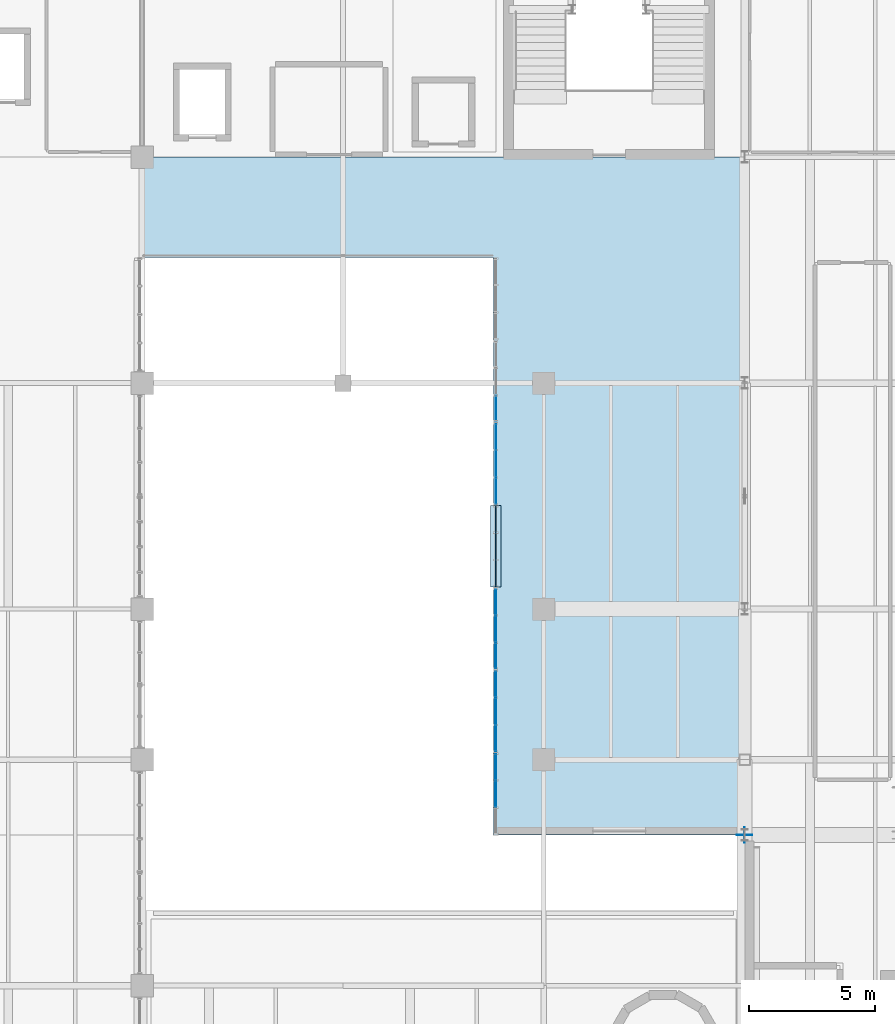
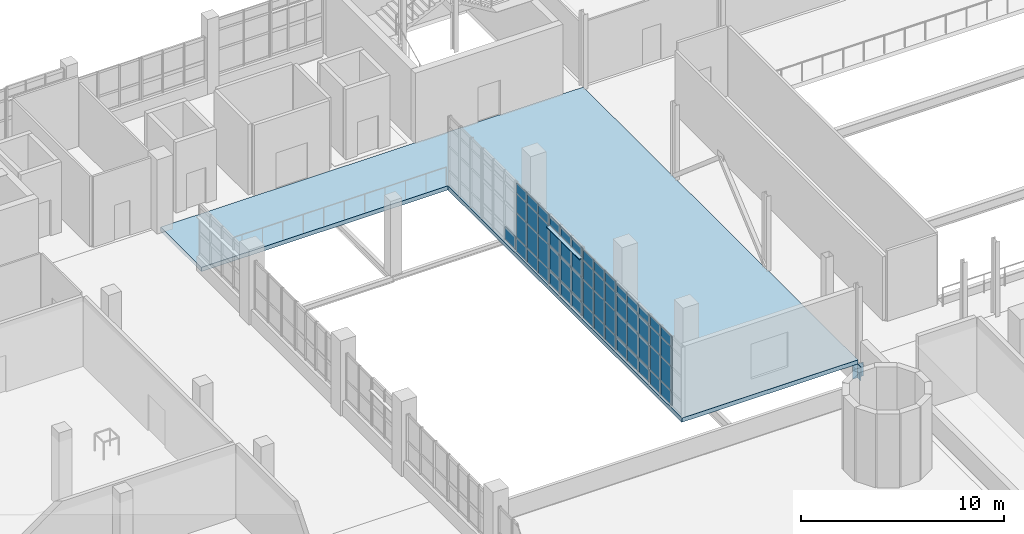
# One storey, part 54 of 85: 60 plates, 1 slab, 6 elements without a shape of their own.
"""IFC4 building model written with IfcOpenShell, lengths in metres."""

from ifc_helpers import new_model, si_unit, derived_unit, direction, frame, origin, origin_2d, place, context, subcontext, project, spatial, polyline, rectangle, outline, extrude, material, layer, layer_set, type_object, element, aggregate, save


model = new_model("IFC4")

# Units and contexts
model_context = context("Model", 3, precision=1e-05, world=origin(), true_north=direction((0.0, 1.0)))
body_context = subcontext(model_context, "Body", "Model", "MODEL_VIEW")
ifc_project = project(units=[si_unit("LENGTHUNIT", "METRE"), si_unit("AREAUNIT", "SQUARE_METRE"), si_unit("VOLUMEUNIT", "CUBIC_METRE"), si_unit("PLANEANGLEUNIT", "RADIAN"), si_unit("MASSUNIT", "GRAM", prefix="KILO"), derived_unit("THERMALTRANSMITTANCEUNIT", [(si_unit("POWERUNIT", "WATT"), 1), (si_unit("LENGTHUNIT", "METRE"), -2), (si_unit("THERMODYNAMICTEMPERATUREUNIT", "KELVIN"), -1)])], contexts=[model_context])

# Site, building, storey
site_placement = place(None, origin())
site = spatial("IfcSite", under=ifc_project, at=site_placement, CompositionType="ELEMENT")
building_placement = place(site_placement, origin())
building = spatial("IfcBuilding", under=site, at=building_placement, Name="Nallur Shell Playhouse", CompositionType="ELEMENT")
storey_placement = place(building_placement, frame((0.0, 0.0, 19.800048828125)))
storey = spatial("IfcBuildingStorey", under=building, at=storey_placement, Name="L05", CompositionType="ELEMENT", Elevation=19.800048828125)

# Plates
ifc_material_1 = material(Name="Steel E350", Category="steel")
ifc_layer_1 = layer(ifc_material_1, 0.02001953125)
ifc_layer_set_1 = layer_set([ifc_layer_1], Name="Steel E350")
plate_type_1 = type_object("IfcPlateType", Name="PT-ENDCAP-20", PredefinedType="SHEET", material=ifc_layer_set_1)
plate_1_placement = place(storey_placement, frame((63.989990234375, 47.0, -1.06005859375), z_axis=(0.0, 0.0, 1.0), x_axis=(1.0, 0.0, 0.0)))
element("IfcPlate", 1, at=plate_1_placement, inside=storey, type_object=plate_type_1, Name="Hollow end cap EC-GB-L05-NA", PredefinedType="SHEET", context=body_context, shape_type="SweptSolid", body=[
    extrude(rectangle(XDim=0.02001953125, YDim=0.6201171875, at=origin_2d()), origin(), (0.0, 0.0, 1.0), 0.820068359375),
])
plate_2_placement = place(storey_placement, frame((64.0, 47.010009765625, -1.06005859375), z_axis=(0.0, 0.0, 1.0), x_axis=(1.0, 0.0, 0.0)))
element("IfcPlate", 2, at=plate_2_placement, inside=storey, type_object=plate_type_1, Name="Hollow end cap EC-GB-L05-WB", PredefinedType="SHEET", context=body_context, shape_type="SweptSolid", body=[
    extrude(rectangle(XDim=0.6201171875, YDim=0.02001953125, at=origin_2d()), origin(), (0.0, 0.0, 1.0), 0.820068359375),
])

# Curtain wall, plates
ifc_material_2 = material(Name="Anodised Aluminium Double-Glazed Facade System", Category="aluminium")
ifc_layer_2 = layer(ifc_material_2, 0.172119140625)
ifc_layer_set_2 = layer_set([ifc_layer_2], Name="Anodised Aluminium Double-Glazed Facade System")
curtain_wall_type_1 = type_object("IfcCurtainWallType", Name="CW-UNIT-09", PredefinedType="NOTDEFINED", material=ifc_layer_set_2)
curtain_wall_1_placement = place(storey_placement, origin())
curtain_wall_1 = element("IfcCurtainWall", 3, at=curtain_wall_1_placement, inside=storey, type_object=curtain_wall_type_1, Name="Unitised curtain wall CW-169 (L05)", PredefinedType="NOTDEFINED")
ifc_material_3 = material(Name="Solar-Control Low-E Laminated Insulating Glass", Category="glass")
ifc_layer_3 = layer(ifc_material_3, 0.02587890625)
ifc_layer_set_3 = layer_set([ifc_layer_3], Name="Solar-Control Low-E Laminated Insulating Glass")
plate_type_2 = type_object("IfcPlateType", Name="PT-GLZ-01", PredefinedType="CURTAIN_PANEL", material=ifc_layer_set_3)
plate_3_placement = place(storey_placement, frame((54.090087890625, 60.710205078125, 0.05712890625), z_axis=(0.0, 0.0, 1.0), x_axis=(0.0, 1.0, 0.0)))
plate_3 = element("IfcPlate", 4, at=plate_3_placement, type_object=plate_type_2, Name="CW-09 panel 1.1", PredefinedType="CURTAIN_PANEL", context=body_context, shape_type="SweptSolid", body=[
    extrude(rectangle(XDim=1.010498046875, YDim=0.02587890625, at=origin_2d()), origin(), (0.0, 0.0, 1.0), 0.818603515625),
])
plate_4_placement = place(storey_placement, frame((54.090087890625, 60.710205078125, 0.924560546875), z_axis=(0.0, 0.0, 1.0), x_axis=(0.0, 1.0, 0.0)))
plate_4 = element("IfcPlate", 5, at=plate_4_placement, type_object=plate_type_2, Name="CW-09 panel 1.2", PredefinedType="CURTAIN_PANEL", context=body_context, shape_type="SweptSolid", body=[
    extrude(rectangle(XDim=1.010498046875, YDim=0.02587890625, at=origin_2d()), origin(), (0.0, 0.0, 1.0), 1.419921875),
])
plate_5_placement = place(storey_placement, frame((54.090087890625, 60.710205078125, 2.3935546875), z_axis=(0.0, 0.0, 1.0), x_axis=(0.0, 1.0, 0.0)))
plate_5 = element("IfcPlate", 6, at=plate_5_placement, type_object=plate_type_2, Name="CW-09 panel 1.3", PredefinedType="CURTAIN_PANEL", context=body_context, shape_type="SweptSolid", body=[
    extrude(rectangle(XDim=1.010498046875, YDim=0.02587890625, at=origin_2d()), origin(), (0.0, 0.0, 1.0), 1.132080078125),
])
plate_6_placement = place(storey_placement, frame((54.090087890625, 60.710205078125, 3.57470703125), z_axis=(0.0, 0.0, 1.0), x_axis=(0.0, 1.0, 0.0)))
plate_6 = element("IfcPlate", 7, at=plate_6_placement, type_object=plate_type_2, Name="CW-09 panel 1.4", PredefinedType="CURTAIN_PANEL", context=body_context, shape_type="SweptSolid", body=[
    extrude(rectangle(XDim=1.010498046875, YDim=0.02587890625, at=origin_2d()), origin(), (0.0, 0.0, 1.0), 0.598388671875),
])
plate_7_placement = place(storey_placement, frame((54.090087890625, 61.78564453125, 0.05712890625), z_axis=(0.0, 0.0, 1.0), x_axis=(0.0, 1.0, 0.0)))
plate_7 = element("IfcPlate", 8, at=plate_7_placement, type_object=plate_type_2, Name="CW-09 panel 2.1", PredefinedType="CURTAIN_PANEL", context=body_context, shape_type="SweptSolid", body=[
    extrude(rectangle(XDim=1.04296875, YDim=0.02587890625, at=origin_2d()), origin(), (0.0, 0.0, 1.0), 0.818603515625),
])
plate_8_placement = place(storey_placement, frame((54.090087890625, 61.78564453125, 0.924560546875), z_axis=(0.0, 0.0, 1.0), x_axis=(0.0, 1.0, 0.0)))
plate_8 = element("IfcPlate", 9, at=plate_8_placement, type_object=plate_type_2, Name="CW-09 panel 2.2", PredefinedType="CURTAIN_PANEL", context=body_context, shape_type="SweptSolid", body=[
    extrude(rectangle(XDim=1.04296875, YDim=0.02587890625, at=origin_2d()), origin(), (0.0, 0.0, 1.0), 1.419921875),
])
plate_9_placement = place(storey_placement, frame((54.090087890625, 61.78564453125, 2.3935546875), z_axis=(0.0, 0.0, 1.0), x_axis=(0.0, 1.0, 0.0)))
plate_9 = element("IfcPlate", 10, at=plate_9_placement, type_object=plate_type_2, Name="CW-09 panel 2.3", PredefinedType="CURTAIN_PANEL", context=body_context, shape_type="SweptSolid", body=[
    extrude(rectangle(XDim=1.04296875, YDim=0.02587890625, at=origin_2d()), origin(), (0.0, 0.0, 1.0), 1.132080078125),
])
plate_10_placement = place(storey_placement, frame((54.090087890625, 61.78564453125, 3.57470703125), z_axis=(0.0, 0.0, 1.0), x_axis=(0.0, 1.0, 0.0)))
plate_10 = element("IfcPlate", 11, at=plate_10_placement, type_object=plate_type_2, Name="CW-09 panel 2.4", PredefinedType="CURTAIN_PANEL", context=body_context, shape_type="SweptSolid", body=[
    extrude(rectangle(XDim=1.04296875, YDim=0.02587890625, at=origin_2d()), origin(), (0.0, 0.0, 1.0), 0.598388671875),
])
plate_11_placement = place(storey_placement, frame((54.090087890625, 62.861328125, 0.05712890625), z_axis=(0.0, 0.0, 1.0), x_axis=(0.0, 1.0, 0.0)))
plate_11 = element("IfcPlate", 12, at=plate_11_placement, type_object=plate_type_2, Name="CW-09 panel 3.1", PredefinedType="CURTAIN_PANEL", context=body_context, shape_type="SweptSolid", body=[
    extrude(rectangle(XDim=1.010498046875, YDim=0.02587890625, at=origin_2d()), origin(), (0.0, 0.0, 1.0), 0.818603515625),
])
plate_12_placement = place(storey_placement, frame((54.090087890625, 62.861328125, 0.924560546875), z_axis=(0.0, 0.0, 1.0), x_axis=(0.0, 1.0, 0.0)))
plate_12 = element("IfcPlate", 13, at=plate_12_placement, type_object=plate_type_2, Name="CW-09 panel 3.2", PredefinedType="CURTAIN_PANEL", context=body_context, shape_type="SweptSolid", body=[
    extrude(rectangle(XDim=1.010498046875, YDim=0.02587890625, at=origin_2d()), origin(), (0.0, 0.0, 1.0), 1.419921875),
])
plate_13_placement = place(storey_placement, frame((54.090087890625, 62.861328125, 2.3935546875), z_axis=(0.0, 0.0, 1.0), x_axis=(0.0, 1.0, 0.0)))
plate_13 = element("IfcPlate", 14, at=plate_13_placement, type_object=plate_type_2, Name="CW-09 panel 3.3", PredefinedType="CURTAIN_PANEL", context=body_context, shape_type="SweptSolid", body=[
    extrude(rectangle(XDim=1.010498046875, YDim=0.02587890625, at=origin_2d()), origin(), (0.0, 0.0, 1.0), 1.132080078125),
])
plate_14_placement = place(storey_placement, frame((54.090087890625, 62.861328125, 3.57470703125), z_axis=(0.0, 0.0, 1.0), x_axis=(0.0, 1.0, 0.0)))
plate_14 = element("IfcPlate", 15, at=plate_14_placement, type_object=plate_type_2, Name="CW-09 panel 3.4", PredefinedType="CURTAIN_PANEL", context=body_context, shape_type="SweptSolid", body=[
    extrude(rectangle(XDim=1.010498046875, YDim=0.02587890625, at=origin_2d()), origin(), (0.0, 0.0, 1.0), 0.598388671875),
])
aggregate(curtain_wall_1, [plate_3, plate_4, plate_5, plate_6, plate_7, plate_8, plate_9, plate_10, plate_11, plate_12, plate_13, plate_14])

# Curtain wall, plate
ifc_layer_4 = layer(ifc_material_2, 0.176025390625)
ifc_layer_set_4 = layer_set([ifc_layer_4], Name="Anodised Aluminium Double-Glazed Facade System")
curtain_wall_type_2 = type_object("IfcCurtainWallType", Name="CW-UNIT-10", PredefinedType="NOTDEFINED", material=ifc_layer_set_4)
curtain_wall_2_placement = place(storey_placement, origin())
curtain_wall_2 = element("IfcCurtainWall", 16, at=curtain_wall_2_placement, inside=storey, type_object=curtain_wall_type_2, Name="Unitised curtain wall CW-170 (L05)", PredefinedType="NOTDEFINED")
ifc_layer_5 = layer(ifc_material_3, 0.028076171875)
ifc_layer_set_5 = layer_set([ifc_layer_5], Name="Solar-Control Low-E Laminated Insulating Glass")
plate_type_3 = type_object("IfcPlateType", Name="PT-GLZ-02", PredefinedType="CURTAIN_PANEL", material=ifc_layer_set_5)
plate_15_placement = place(storey_placement, frame((54.090087890625, 63.99951171875, 0.091796875), z_axis=(0.0, 0.0, 1.0), x_axis=(0.0, 1.0, 0.0)))
plate_15 = element("IfcPlate", 17, at=plate_15_placement, type_object=plate_type_3, Name="CW-10 panel 1.1", PredefinedType="CURTAIN_PANEL", context=body_context, shape_type="SweptSolid", body=[
    extrude(rectangle(XDim=0.98779296875, YDim=0.028076171875, at=origin_2d()), origin(), (0.0, 0.0, 1.0), 0.76611328125),
])
aggregate(curtain_wall_2, [plate_15])

# Curtain wall, plates
ifc_layer_6 = layer(ifc_material_2, 0.179931640625)
ifc_layer_set_6 = layer_set([ifc_layer_6], Name="Anodised Aluminium Double-Glazed Facade System")
curtain_wall_type_3 = type_object("IfcCurtainWallType", Name="CW-UNIT-05", PredefinedType="NOTDEFINED", material=ifc_layer_set_6)
curtain_wall_3_placement = place(storey_placement, origin())
curtain_wall_3 = element("IfcCurtainWall", 18, at=curtain_wall_3_placement, inside=storey, type_object=curtain_wall_type_3, Name="Unitised curtain wall CW-165 (L05)", PredefinedType="NOTDEFINED")
ifc_layer_7 = layer(ifc_material_3, 0.033935546875)
ifc_layer_set_7 = layer_set([ifc_layer_7], Name="Solar-Control Low-E Laminated Insulating Glass")
plate_type_4 = type_object("IfcPlateType", Name="PT-GLZ-05", PredefinedType="CURTAIN_PANEL", material=ifc_layer_set_7)
plate_16_placement = place(storey_placement, frame((54.090087890625, 48.640380859375, 0.05712890625), z_axis=(0.0, 0.0, 1.0), x_axis=(0.0, 1.0, 0.0)))
plate_16 = element("IfcPlate", 19, at=plate_16_placement, type_object=plate_type_4, Name="CW-05 panel 2.1", PredefinedType="CURTAIN_PANEL", context=body_context, shape_type="SweptSolid", body=[
    extrude(rectangle(XDim=1.03466796875, YDim=0.033935546875, at=origin_2d()), origin(), (0.0, 0.0, 1.0), 0.818603515625),
])
plate_17_placement = place(storey_placement, frame((54.090087890625, 48.640380859375, 0.924560546875), z_axis=(0.0, 0.0, 1.0), x_axis=(0.0, 1.0, 0.0)))
plate_17 = element("IfcPlate", 20, at=plate_17_placement, type_object=plate_type_4, Name="CW-05 panel 2.2", PredefinedType="CURTAIN_PANEL", context=body_context, shape_type="SweptSolid", body=[
    extrude(rectangle(XDim=1.03466796875, YDim=0.033935546875, at=origin_2d()), origin(), (0.0, 0.0, 1.0), 1.419921875),
])
plate_18_placement = place(storey_placement, frame((54.090087890625, 48.640380859375, 2.3935546875), z_axis=(0.0, 0.0, 1.0), x_axis=(0.0, 1.0, 0.0)))
plate_18 = element("IfcPlate", 21, at=plate_18_placement, type_object=plate_type_4, Name="CW-05 panel 2.3", PredefinedType="CURTAIN_PANEL", context=body_context, shape_type="SweptSolid", body=[
    extrude(rectangle(XDim=1.03466796875, YDim=0.033935546875, at=origin_2d()), origin(), (0.0, 0.0, 1.0), 1.132080078125),
])
plate_19_placement = place(storey_placement, frame((54.090087890625, 48.640380859375, 3.57470703125), z_axis=(0.0, 0.0, 1.0), x_axis=(0.0, 1.0, 0.0)))
plate_19 = element("IfcPlate", 22, at=plate_19_placement, type_object=plate_type_4, Name="CW-05 panel 2.4", PredefinedType="CURTAIN_PANEL", context=body_context, shape_type="SweptSolid", body=[
    extrude(rectangle(XDim=1.03466796875, YDim=0.033935546875, at=origin_2d()), origin(), (0.0, 0.0, 1.0), 0.598388671875),
])
plate_20_placement = place(storey_placement, frame((54.090087890625, 49.715087890625, 0.05712890625), z_axis=(0.0, 0.0, 1.0), x_axis=(0.0, 1.0, 0.0)))
plate_20 = element("IfcPlate", 23, at=plate_20_placement, type_object=plate_type_4, Name="CW-05 panel 3.1", PredefinedType="CURTAIN_PANEL", context=body_context, shape_type="SweptSolid", body=[
    extrude(rectangle(XDim=0.9970703125, YDim=0.033935546875, at=origin_2d()), origin(), (0.0, 0.0, 1.0), 0.818603515625),
])
plate_21_placement = place(storey_placement, frame((54.090087890625, 49.715087890625, 0.924560546875), z_axis=(0.0, 0.0, 1.0), x_axis=(0.0, 1.0, 0.0)))
plate_21 = element("IfcPlate", 24, at=plate_21_placement, type_object=plate_type_4, Name="CW-05 panel 3.2", PredefinedType="CURTAIN_PANEL", context=body_context, shape_type="SweptSolid", body=[
    extrude(rectangle(XDim=0.9970703125, YDim=0.033935546875, at=origin_2d()), origin(), (0.0, 0.0, 1.0), 1.419921875),
])
plate_22_placement = place(storey_placement, frame((54.090087890625, 49.715087890625, 2.3935546875), z_axis=(0.0, 0.0, 1.0), x_axis=(0.0, 1.0, 0.0)))
plate_22 = element("IfcPlate", 25, at=plate_22_placement, type_object=plate_type_4, Name="CW-05 panel 3.3", PredefinedType="CURTAIN_PANEL", context=body_context, shape_type="SweptSolid", body=[
    extrude(rectangle(XDim=0.9970703125, YDim=0.033935546875, at=origin_2d()), origin(), (0.0, 0.0, 1.0), 1.132080078125),
])
plate_23_placement = place(storey_placement, frame((54.090087890625, 49.715087890625, 3.57470703125), z_axis=(0.0, 0.0, 1.0), x_axis=(0.0, 1.0, 0.0)))
plate_23 = element("IfcPlate", 26, at=plate_23_placement, type_object=plate_type_4, Name="CW-05 panel 3.4", PredefinedType="CURTAIN_PANEL", context=body_context, shape_type="SweptSolid", body=[
    extrude(rectangle(XDim=0.9970703125, YDim=0.033935546875, at=origin_2d()), origin(), (0.0, 0.0, 1.0), 0.598388671875),
])
aggregate(curtain_wall_3, [plate_16, plate_17, plate_18, plate_19, plate_20, plate_21, plate_22, plate_23])

ifc_layer_8 = layer(ifc_material_2, 0.159912109375)
ifc_layer_set_8 = layer_set([ifc_layer_8], Name="Anodised Aluminium Double-Glazed Facade System")
curtain_wall_type_4 = type_object("IfcCurtainWallType", Name="CW-UNIT-06", PredefinedType="NOTDEFINED", material=ifc_layer_set_8)
curtain_wall_4_placement = place(storey_placement, origin())
curtain_wall_4 = element("IfcCurtainWall", 27, at=curtain_wall_4_placement, inside=storey, type_object=curtain_wall_type_4, Name="Unitised curtain wall CW-166 (L05)", PredefinedType="NOTDEFINED")
ifc_layer_9 = layer(ifc_material_3, 0.035888671875)
ifc_layer_set_9 = layer_set([ifc_layer_9], Name="Solar-Control Low-E Laminated Insulating Glass")
plate_type_5 = type_object("IfcPlateType", Name="PT-GLZ-06", PredefinedType="CURTAIN_PANEL", material=ifc_layer_set_9)
plate_24_placement = place(storey_placement, frame((54.090087890625, 50.852783203125, 0.091796875), z_axis=(0.0, 0.0, 1.0), x_axis=(0.0, 1.0, 0.0)))
plate_24 = element("IfcPlate", 28, at=plate_24_placement, type_object=plate_type_5, Name="CW-06 panel 1.1", PredefinedType="CURTAIN_PANEL", context=body_context, shape_type="SweptSolid", body=[
    extrude(rectangle(XDim=1.010498046875, YDim=0.035888671875, at=origin_2d()), origin(), (0.0, 0.0, 1.0), 0.76611328125),
])
plate_25_placement = place(storey_placement, frame((54.090087890625, 50.852783203125, 0.94189453125), z_axis=(0.0, 0.0, 1.0), x_axis=(0.0, 1.0, 0.0)))
plate_25 = element("IfcPlate", 29, at=plate_25_placement, type_object=plate_type_5, Name="CW-06 panel 1.2", PredefinedType="CURTAIN_PANEL", context=body_context, shape_type="SweptSolid", body=[
    extrude(rectangle(XDim=1.010498046875, YDim=0.035888671875, at=origin_2d()), origin(), (0.0, 0.0, 1.0), 1.3740234375),
])
plate_26_placement = place(storey_placement, frame((54.090087890625, 50.852783203125, 2.39990234375), z_axis=(0.0, 0.0, 1.0), x_axis=(0.0, 1.0, 0.0)))
plate_26 = element("IfcPlate", 30, at=plate_26_placement, type_object=plate_type_5, Name="CW-06 panel 1.3", PredefinedType="CURTAIN_PANEL", context=body_context, shape_type="SweptSolid", body=[
    extrude(rectangle(XDim=1.010498046875, YDim=0.035888671875, at=origin_2d()), origin(), (0.0, 0.0, 1.0), 1.087890625),
])
plate_27_placement = place(storey_placement, frame((54.090087890625, 50.852783203125, 3.572021484375), z_axis=(0.0, 0.0, 1.0), x_axis=(0.0, 1.0, 0.0)))
plate_27 = element("IfcPlate", 31, at=plate_27_placement, type_object=plate_type_5, Name="CW-06 panel 1.4", PredefinedType="CURTAIN_PANEL", context=body_context, shape_type="SweptSolid", body=[
    extrude(rectangle(XDim=1.010498046875, YDim=0.035888671875, at=origin_2d()), origin(), (0.0, 0.0, 1.0), 0.5458984375),
])
plate_28_placement = place(storey_placement, frame((54.090087890625, 51.928466796875, 0.091796875), z_axis=(0.0, 0.0, 1.0), x_axis=(0.0, 1.0, 0.0)))
plate_28 = element("IfcPlate", 32, at=plate_28_placement, type_object=plate_type_5, Name="CW-06 panel 2.1", PredefinedType="CURTAIN_PANEL", context=body_context, shape_type="SweptSolid", body=[
    extrude(rectangle(XDim=1.04296875, YDim=0.035888671875, at=origin_2d()), origin(), (0.0, 0.0, 1.0), 0.76611328125),
])
plate_29_placement = place(storey_placement, frame((54.090087890625, 51.928466796875, 0.94189453125), z_axis=(0.0, 0.0, 1.0), x_axis=(0.0, 1.0, 0.0)))
plate_29 = element("IfcPlate", 33, at=plate_29_placement, type_object=plate_type_5, Name="CW-06 panel 2.2", PredefinedType="CURTAIN_PANEL", context=body_context, shape_type="SweptSolid", body=[
    extrude(rectangle(XDim=1.04296875, YDim=0.035888671875, at=origin_2d()), origin(), (0.0, 0.0, 1.0), 1.3740234375),
])
plate_30_placement = place(storey_placement, frame((54.090087890625, 51.928466796875, 2.39990234375), z_axis=(0.0, 0.0, 1.0), x_axis=(0.0, 1.0, 0.0)))
plate_30 = element("IfcPlate", 34, at=plate_30_placement, type_object=plate_type_5, Name="CW-06 panel 2.3", PredefinedType="CURTAIN_PANEL", context=body_context, shape_type="SweptSolid", body=[
    extrude(rectangle(XDim=1.04296875, YDim=0.035888671875, at=origin_2d()), origin(), (0.0, 0.0, 1.0), 1.087890625),
])
plate_31_placement = place(storey_placement, frame((54.090087890625, 51.928466796875, 3.572021484375), z_axis=(0.0, 0.0, 1.0), x_axis=(0.0, 1.0, 0.0)))
plate_31 = element("IfcPlate", 35, at=plate_31_placement, type_object=plate_type_5, Name="CW-06 panel 2.4", PredefinedType="CURTAIN_PANEL", context=body_context, shape_type="SweptSolid", body=[
    extrude(rectangle(XDim=1.04296875, YDim=0.035888671875, at=origin_2d()), origin(), (0.0, 0.0, 1.0), 0.5458984375),
])
plate_32_placement = place(storey_placement, frame((54.090087890625, 53.004150390625, 0.091796875), z_axis=(0.0, 0.0, 1.0), x_axis=(0.0, 1.0, 0.0)))
plate_32 = element("IfcPlate", 36, at=plate_32_placement, type_object=plate_type_5, Name="CW-06 panel 3.1", PredefinedType="CURTAIN_PANEL", context=body_context, shape_type="SweptSolid", body=[
    extrude(rectangle(XDim=1.010498046875, YDim=0.035888671875, at=origin_2d()), origin(), (0.0, 0.0, 1.0), 0.76611328125),
])
plate_33_placement = place(storey_placement, frame((54.090087890625, 53.004150390625, 0.94189453125), z_axis=(0.0, 0.0, 1.0), x_axis=(0.0, 1.0, 0.0)))
plate_33 = element("IfcPlate", 37, at=plate_33_placement, type_object=plate_type_5, Name="CW-06 panel 3.2", PredefinedType="CURTAIN_PANEL", context=body_context, shape_type="SweptSolid", body=[
    extrude(rectangle(XDim=1.010498046875, YDim=0.035888671875, at=origin_2d()), origin(), (0.0, 0.0, 1.0), 1.3740234375),
])
plate_34_placement = place(storey_placement, frame((54.090087890625, 53.004150390625, 2.39990234375), z_axis=(0.0, 0.0, 1.0), x_axis=(0.0, 1.0, 0.0)))
plate_34 = element("IfcPlate", 38, at=plate_34_placement, type_object=plate_type_5, Name="CW-06 panel 3.3", PredefinedType="CURTAIN_PANEL", context=body_context, shape_type="SweptSolid", body=[
    extrude(rectangle(XDim=1.010498046875, YDim=0.035888671875, at=origin_2d()), origin(), (0.0, 0.0, 1.0), 1.087890625),
])
plate_35_placement = place(storey_placement, frame((54.090087890625, 53.004150390625, 3.572021484375), z_axis=(0.0, 0.0, 1.0), x_axis=(0.0, 1.0, 0.0)))
plate_35 = element("IfcPlate", 39, at=plate_35_placement, type_object=plate_type_5, Name="CW-06 panel 3.4", PredefinedType="CURTAIN_PANEL", context=body_context, shape_type="SweptSolid", body=[
    extrude(rectangle(XDim=1.010498046875, YDim=0.035888671875, at=origin_2d()), origin(), (0.0, 0.0, 1.0), 0.5458984375),
])
aggregate(curtain_wall_4, [plate_24, plate_25, plate_26, plate_27, plate_28, plate_29, plate_30, plate_31, plate_32, plate_33, plate_34, plate_35])

ifc_layer_10 = layer(ifc_material_2, 0.1640625)
ifc_layer_set_10 = layer_set([ifc_layer_10], Name="Anodised Aluminium Double-Glazed Facade System")
curtain_wall_type_5 = type_object("IfcCurtainWallType", Name="CW-UNIT-07", PredefinedType="NOTDEFINED", material=ifc_layer_set_10)
curtain_wall_5_placement = place(storey_placement, origin())
curtain_wall_5 = element("IfcCurtainWall", 40, at=curtain_wall_5_placement, inside=storey, type_object=curtain_wall_type_5, Name="Unitised curtain wall CW-167 (L05)", PredefinedType="NOTDEFINED")
ifc_layer_11 = layer(ifc_material_3, 0.0380859375)
ifc_layer_set_11 = layer_set([ifc_layer_11], Name="Solar-Control Low-E Laminated Insulating Glass")
plate_type_6 = type_object("IfcPlateType", Name="PT-GLZ-07", PredefinedType="CURTAIN_PANEL", material=ifc_layer_set_11)
plate_36_placement = place(storey_placement, frame((54.090087890625, 54.142333984375, 0.05712890625), z_axis=(0.0, 0.0, 1.0), x_axis=(0.0, 1.0, 0.0)))
plate_36 = element("IfcPlate", 41, at=plate_36_placement, type_object=plate_type_6, Name="CW-07 panel 1.1", PredefinedType="CURTAIN_PANEL", context=body_context, shape_type="SweptSolid", body=[
    extrude(rectangle(XDim=0.98779296875, YDim=0.0380859375, at=origin_2d()), origin(), (0.0, 0.0, 1.0), 0.818603515625),
])
plate_37_placement = place(storey_placement, frame((54.090087890625, 54.142333984375, 0.924560546875), z_axis=(0.0, 0.0, 1.0), x_axis=(0.0, 1.0, 0.0)))
plate_37 = element("IfcPlate", 42, at=plate_37_placement, type_object=plate_type_6, Name="CW-07 panel 1.2", PredefinedType="CURTAIN_PANEL", context=body_context, shape_type="SweptSolid", body=[
    extrude(rectangle(XDim=0.98779296875, YDim=0.0380859375, at=origin_2d()), origin(), (0.0, 0.0, 1.0), 1.39697265625),
])
plate_38_placement = place(storey_placement, frame((54.090087890625, 54.142333984375, 2.37060546875), z_axis=(0.0, 0.0, 1.0), x_axis=(0.0, 1.0, 0.0)))
plate_38 = element("IfcPlate", 43, at=plate_38_placement, type_object=plate_type_6, Name="CW-07 panel 1.3", PredefinedType="CURTAIN_PANEL", context=body_context, shape_type="SweptSolid", body=[
    extrude(rectangle(XDim=0.98779296875, YDim=0.0380859375, at=origin_2d()), origin(), (0.0, 0.0, 1.0), 1.114990234375),
])
plate_39_placement = place(storey_placement, frame((54.090087890625, 54.142333984375, 3.53466796875), z_axis=(0.0, 0.0, 1.0), x_axis=(0.0, 1.0, 0.0)))
plate_39 = element("IfcPlate", 44, at=plate_39_placement, type_object=plate_type_6, Name="CW-07 panel 1.4", PredefinedType="CURTAIN_PANEL", context=body_context, shape_type="SweptSolid", body=[
    extrude(rectangle(XDim=0.98779296875, YDim=0.0380859375, at=origin_2d()), origin(), (0.0, 0.0, 1.0), 0.598388671875),
])
plate_40_placement = place(storey_placement, frame((54.090087890625, 55.21435546875, 0.05712890625), z_axis=(0.0, 0.0, 1.0), x_axis=(0.0, 1.0, 0.0)))
plate_40 = element("IfcPlate", 45, at=plate_40_placement, type_object=plate_type_6, Name="CW-07 panel 2.1", PredefinedType="CURTAIN_PANEL", context=body_context, shape_type="SweptSolid", body=[
    extrude(rectangle(XDim=1.02783203125, YDim=0.0380859375, at=origin_2d()), origin(), (0.0, 0.0, 1.0), 0.818603515625),
])
plate_41_placement = place(storey_placement, frame((54.090087890625, 55.21435546875, 0.924560546875), z_axis=(0.0, 0.0, 1.0), x_axis=(0.0, 1.0, 0.0)))
plate_41 = element("IfcPlate", 46, at=plate_41_placement, type_object=plate_type_6, Name="CW-07 panel 2.2", PredefinedType="CURTAIN_PANEL", context=body_context, shape_type="SweptSolid", body=[
    extrude(rectangle(XDim=1.02783203125, YDim=0.0380859375, at=origin_2d()), origin(), (0.0, 0.0, 1.0), 1.39697265625),
])
plate_42_placement = place(storey_placement, frame((54.090087890625, 55.21435546875, 2.37060546875), z_axis=(0.0, 0.0, 1.0), x_axis=(0.0, 1.0, 0.0)))
plate_42 = element("IfcPlate", 47, at=plate_42_placement, type_object=plate_type_6, Name="CW-07 panel 2.3", PredefinedType="CURTAIN_PANEL", context=body_context, shape_type="SweptSolid", body=[
    extrude(rectangle(XDim=1.02783203125, YDim=0.0380859375, at=origin_2d()), origin(), (0.0, 0.0, 1.0), 1.114990234375),
])
plate_43_placement = place(storey_placement, frame((54.090087890625, 55.21435546875, 3.53466796875), z_axis=(0.0, 0.0, 1.0), x_axis=(0.0, 1.0, 0.0)))
plate_43 = element("IfcPlate", 48, at=plate_43_placement, type_object=plate_type_6, Name="CW-07 panel 2.4", PredefinedType="CURTAIN_PANEL", context=body_context, shape_type="SweptSolid", body=[
    extrude(rectangle(XDim=1.02783203125, YDim=0.0380859375, at=origin_2d()), origin(), (0.0, 0.0, 1.0), 0.598388671875),
])
plate_44_placement = place(storey_placement, frame((54.090087890625, 56.2861328125, 0.05712890625), z_axis=(0.0, 0.0, 1.0), x_axis=(0.0, 1.0, 0.0)))
plate_44 = element("IfcPlate", 49, at=plate_44_placement, type_object=plate_type_6, Name="CW-07 panel 3.1", PredefinedType="CURTAIN_PANEL", context=body_context, shape_type="SweptSolid", body=[
    extrude(rectangle(XDim=0.98779296875, YDim=0.0380859375, at=origin_2d()), origin(), (0.0, 0.0, 1.0), 0.818603515625),
])
plate_45_placement = place(storey_placement, frame((54.090087890625, 56.2861328125, 0.924560546875), z_axis=(0.0, 0.0, 1.0), x_axis=(0.0, 1.0, 0.0)))
plate_45 = element("IfcPlate", 50, at=plate_45_placement, type_object=plate_type_6, Name="CW-07 panel 3.2", PredefinedType="CURTAIN_PANEL", context=body_context, shape_type="SweptSolid", body=[
    extrude(rectangle(XDim=0.98779296875, YDim=0.0380859375, at=origin_2d()), origin(), (0.0, 0.0, 1.0), 1.39697265625),
])
plate_46_placement = place(storey_placement, frame((54.090087890625, 56.2861328125, 2.37060546875), z_axis=(0.0, 0.0, 1.0), x_axis=(0.0, 1.0, 0.0)))
plate_46 = element("IfcPlate", 51, at=plate_46_placement, type_object=plate_type_6, Name="CW-07 panel 3.3", PredefinedType="CURTAIN_PANEL", context=body_context, shape_type="SweptSolid", body=[
    extrude(rectangle(XDim=0.98779296875, YDim=0.0380859375, at=origin_2d()), origin(), (0.0, 0.0, 1.0), 1.114990234375),
])
plate_47_placement = place(storey_placement, frame((54.090087890625, 56.2861328125, 3.53466796875), z_axis=(0.0, 0.0, 1.0), x_axis=(0.0, 1.0, 0.0)))
plate_47 = element("IfcPlate", 52, at=plate_47_placement, type_object=plate_type_6, Name="CW-07 panel 3.4", PredefinedType="CURTAIN_PANEL", context=body_context, shape_type="SweptSolid", body=[
    extrude(rectangle(XDim=0.98779296875, YDim=0.0380859375, at=origin_2d()), origin(), (0.0, 0.0, 1.0), 0.598388671875),
])
aggregate(curtain_wall_5, [plate_36, plate_37, plate_38, plate_39, plate_40, plate_41, plate_42, plate_43, plate_44, plate_45, plate_46, plate_47])

ifc_layer_12 = layer(ifc_material_2, 0.16796875)
ifc_layer_set_12 = layer_set([ifc_layer_12], Name="Anodised Aluminium Double-Glazed Facade System")
curtain_wall_type_6 = type_object("IfcCurtainWallType", Name="CW-UNIT-08", PredefinedType="NOTDEFINED", material=ifc_layer_set_12)
curtain_wall_6_placement = place(storey_placement, origin())
curtain_wall_6 = element("IfcCurtainWall", 53, at=curtain_wall_6_placement, inside=storey, type_object=curtain_wall_type_6, Name="Unitised curtain wall CW-168 (L05)", PredefinedType="NOTDEFINED")
ifc_layer_13 = layer(ifc_material_3, 0.0400390625)
ifc_layer_set_13 = layer_set([ifc_layer_13], Name="Solar-Control Low-E Laminated Insulating Glass")
plate_type_7 = type_object("IfcPlateType", Name="PT-GLZ-08", PredefinedType="CURTAIN_PANEL", material=ifc_layer_set_13)
plate_48_placement = place(storey_placement, frame((54.090087890625, 57.4267578125, 0.091796875), z_axis=(0.0, 0.0, 1.0), x_axis=(0.0, 1.0, 0.0)))
plate_48 = element("IfcPlate", 54, at=plate_48_placement, type_object=plate_type_7, Name="CW-08 panel 1.1", PredefinedType="CURTAIN_PANEL", context=body_context, shape_type="SweptSolid", body=[
    extrude(rectangle(XDim=0.995361328125, YDim=0.0400390625, at=origin_2d()), origin(), (0.0, 0.0, 1.0), 0.76611328125),
])
plate_49_placement = place(storey_placement, frame((54.090087890625, 57.4267578125, 0.94189453125), z_axis=(0.0, 0.0, 1.0), x_axis=(0.0, 1.0, 0.0)))
plate_49 = element("IfcPlate", 55, at=plate_49_placement, type_object=plate_type_7, Name="CW-08 panel 1.2", PredefinedType="CURTAIN_PANEL", context=body_context, shape_type="SweptSolid", body=[
    extrude(rectangle(XDim=0.995361328125, YDim=0.0400390625, at=origin_2d()), origin(), (0.0, 0.0, 1.0), 1.39599609375),
])
plate_50_placement = place(storey_placement, frame((54.090087890625, 57.4267578125, 2.421875), z_axis=(0.0, 0.0, 1.0), x_axis=(0.0, 1.0, 0.0)))
plate_50 = element("IfcPlate", 56, at=plate_50_placement, type_object=plate_type_7, Name="CW-08 panel 1.3", PredefinedType="CURTAIN_PANEL", context=body_context, shape_type="SweptSolid", body=[
    extrude(rectangle(XDim=0.995361328125, YDim=0.0400390625, at=origin_2d()), origin(), (0.0, 0.0, 1.0), 1.10595703125),
])
plate_51_placement = place(storey_placement, frame((54.090087890625, 57.4267578125, 3.612060546875), z_axis=(0.0, 0.0, 1.0), x_axis=(0.0, 1.0, 0.0)))
plate_51 = element("IfcPlate", 57, at=plate_51_placement, type_object=plate_type_7, Name="CW-08 panel 1.4", PredefinedType="CURTAIN_PANEL", context=body_context, shape_type="SweptSolid", body=[
    extrude(rectangle(XDim=0.995361328125, YDim=0.0400390625, at=origin_2d()), origin(), (0.0, 0.0, 1.0), 0.5458984375),
])
plate_52_placement = place(storey_placement, frame((54.090087890625, 58.5, 0.091796875), z_axis=(0.0, 0.0, 1.0), x_axis=(0.0, 1.0, 0.0)))
plate_52 = element("IfcPlate", 58, at=plate_52_placement, type_object=plate_type_7, Name="CW-08 panel 2.1", PredefinedType="CURTAIN_PANEL", context=body_context, shape_type="SweptSolid", body=[
    extrude(rectangle(XDim=1.032958984375, YDim=0.0400390625, at=origin_2d()), origin(), (0.0, 0.0, 1.0), 0.76611328125),
])
plate_53_placement = place(storey_placement, frame((54.090087890625, 58.5, 0.94189453125), z_axis=(0.0, 0.0, 1.0), x_axis=(0.0, 1.0, 0.0)))
plate_53 = element("IfcPlate", 59, at=plate_53_placement, type_object=plate_type_7, Name="CW-08 panel 2.2", PredefinedType="CURTAIN_PANEL", context=body_context, shape_type="SweptSolid", body=[
    extrude(rectangle(XDim=1.032958984375, YDim=0.0400390625, at=origin_2d()), origin(), (0.0, 0.0, 1.0), 1.39599609375),
])
plate_54_placement = place(storey_placement, frame((54.090087890625, 58.5, 2.421875), z_axis=(0.0, 0.0, 1.0), x_axis=(0.0, 1.0, 0.0)))
plate_54 = element("IfcPlate", 60, at=plate_54_placement, type_object=plate_type_7, Name="CW-08 panel 2.3", PredefinedType="CURTAIN_PANEL", context=body_context, shape_type="SweptSolid", body=[
    extrude(rectangle(XDim=1.032958984375, YDim=0.0400390625, at=origin_2d()), origin(), (0.0, 0.0, 1.0), 1.10595703125),
])
plate_55_placement = place(storey_placement, frame((54.090087890625, 58.5, 3.612060546875), z_axis=(0.0, 0.0, 1.0), x_axis=(0.0, 1.0, 0.0)))
plate_55 = element("IfcPlate", 61, at=plate_55_placement, type_object=plate_type_7, Name="CW-08 panel 2.4", PredefinedType="CURTAIN_PANEL", context=body_context, shape_type="SweptSolid", body=[
    extrude(rectangle(XDim=1.032958984375, YDim=0.0400390625, at=origin_2d()), origin(), (0.0, 0.0, 1.0), 0.5458984375),
])
plate_56_placement = place(storey_placement, frame((54.090087890625, 59.5732421875, 0.091796875), z_axis=(0.0, 0.0, 1.0), x_axis=(0.0, 1.0, 0.0)))
plate_56 = element("IfcPlate", 62, at=plate_56_placement, type_object=plate_type_7, Name="CW-08 panel 3.1", PredefinedType="CURTAIN_PANEL", context=body_context, shape_type="SweptSolid", body=[
    extrude(rectangle(XDim=0.995361328125, YDim=0.0400390625, at=origin_2d()), origin(), (0.0, 0.0, 1.0), 0.76611328125),
])
plate_57_placement = place(storey_placement, frame((54.090087890625, 59.5732421875, 0.94189453125), z_axis=(0.0, 0.0, 1.0), x_axis=(0.0, 1.0, 0.0)))
plate_57 = element("IfcPlate", 63, at=plate_57_placement, type_object=plate_type_7, Name="CW-08 panel 3.2", PredefinedType="CURTAIN_PANEL", context=body_context, shape_type="SweptSolid", body=[
    extrude(rectangle(XDim=0.995361328125, YDim=0.0400390625, at=origin_2d()), origin(), (0.0, 0.0, 1.0), 1.39599609375),
])
plate_58_placement = place(storey_placement, frame((54.090087890625, 59.5732421875, 2.421875), z_axis=(0.0, 0.0, 1.0), x_axis=(0.0, 1.0, 0.0)))
plate_58 = element("IfcPlate", 64, at=plate_58_placement, type_object=plate_type_7, Name="CW-08 panel 3.3", PredefinedType="CURTAIN_PANEL", context=body_context, shape_type="SweptSolid", body=[
    extrude(rectangle(XDim=0.995361328125, YDim=0.0400390625, at=origin_2d()), origin(), (0.0, 0.0, 1.0), 1.10595703125),
])
plate_59_placement = place(storey_placement, frame((54.090087890625, 59.5732421875, 3.612060546875), z_axis=(0.0, 0.0, 1.0), x_axis=(0.0, 1.0, 0.0)))
plate_59 = element("IfcPlate", 65, at=plate_59_placement, type_object=plate_type_7, Name="CW-08 panel 3.4", PredefinedType="CURTAIN_PANEL", context=body_context, shape_type="SweptSolid", body=[
    extrude(rectangle(XDim=0.995361328125, YDim=0.0400390625, at=origin_2d()), origin(), (0.0, 0.0, 1.0), 0.5458984375),
])
aggregate(curtain_wall_6, [plate_48, plate_49, plate_50, plate_51, plate_52, plate_53, plate_54, plate_55, plate_56, plate_57, plate_58, plate_59])

# Plate
ifc_material_4 = material(Name="Terracotta & Gold-Anodised Monsoon Sunshade Blade", Category="masonry")
ifc_layer_14 = layer(ifc_material_4, 0.050048828125)
ifc_layer_set_14 = layer_set([ifc_layer_14], Name="Terracotta & Gold-Anodised Monsoon Sunshade Blade")
plate_type_8 = type_object("IfcPlateType", Name="PT-LOUVRE-02", PredefinedType="USERDEFINED", material=ifc_layer_set_14)
plate_60_placement = place(storey_placement, frame((54.090087890625, 58.5, 3.544921875), z_axis=(0.0, 0.0, 1.0), x_axis=(0.0, 1.0, 0.0)))
element("IfcPlate", 66, at=plate_60_placement, inside=storey, type_object=plate_type_8, Name="Monsoon sunshade louvre blade LV-042", ObjectType="SUNSHADE LOUVRE", PredefinedType="USERDEFINED", context=body_context, shape_type="SweptSolid", body=[
    extrude(rectangle(XDim=3.236083984375, YDim=0.419921875, at=origin_2d()), origin(), (0.0, 0.0, 1.0), 0.050048828125),
])

# Slab
ifc_material_5 = material(Name="Concrete M30", Category="concrete")
ifc_layer_15 = layer(ifc_material_5, 0.25)
ifc_layer_set_15 = layer_set([ifc_layer_15], Name="Concrete M30")
slab_type = type_object("IfcSlabType", Name="SL-UPPER-250", PredefinedType="FLOOR", material=ifc_layer_set_15)
slab_placement = place(storey_placement, frame((0.0, 0.0, -0.25)))
element("IfcSlab", 67, at=slab_placement, inside=storey, type_object=slab_type, Name="L05 structural floor slab panel 05", PredefinedType="FLOOR", context=body_context, shape_type="SweptSolid", body=[
    extrude(outline(polyline([(54.0, 47.0), (54.0, 70.0), (40.0, 70.0), (40.0, 74.0), (64.0, 74.0), (64.0, 47.0), (54.0, 47.0)])), origin(), (0.0, 0.0, 1.0), 0.25),
])

save(model, "model.ifc")
